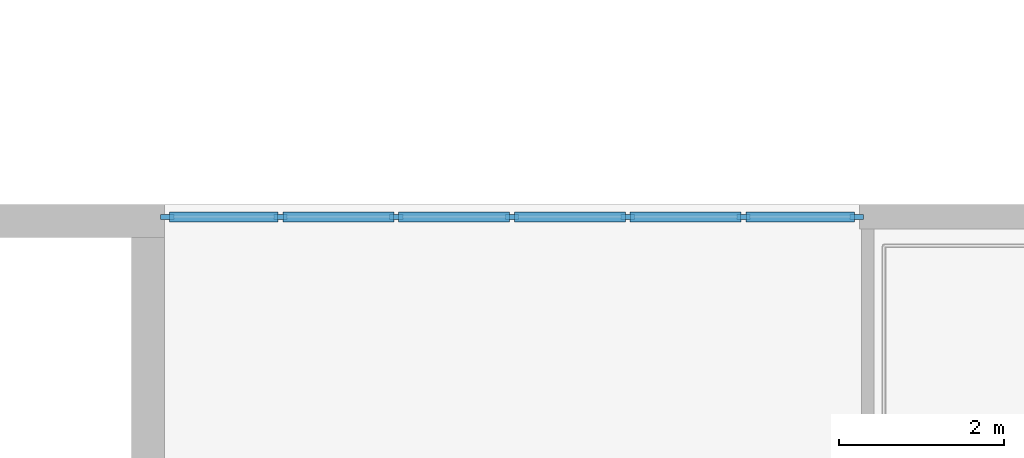
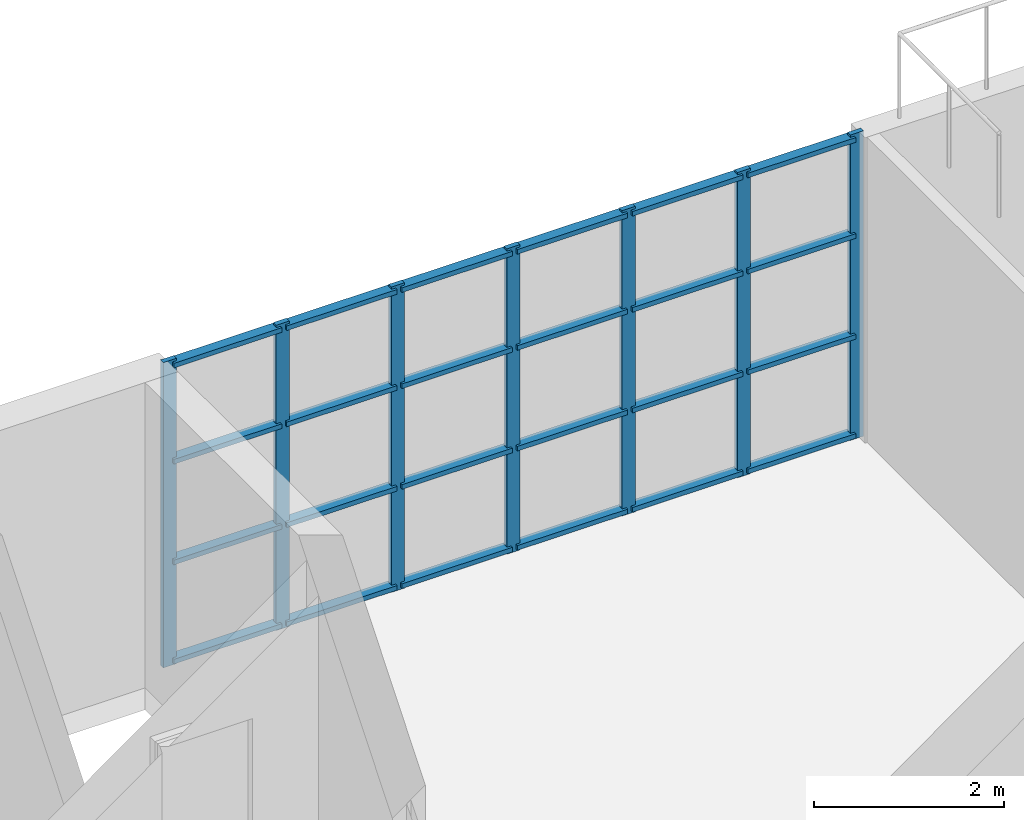
# One storey, part 44 of 96: 31 members, 1 element without a shape of its own.
"""IFC4 building model written with IfcOpenShell, lengths in metres."""

from ifc_helpers import new_model, si_unit, direction, frame, origin, origin_2d, place, context, subcontext, project, spatial, rectangle, extrude, material, material_profile, profile_set, type_object, element, aggregate, save


model = new_model("IFC4")

# Units and contexts
model_context = context("Model", 3, precision=1e-05, world=origin(), true_north=direction((0.0, 1.0)))
body_context = subcontext(model_context, "Body", "Model", "MODEL_VIEW")
ifc_project = project(units=[si_unit("LENGTHUNIT", "METRE"), si_unit("AREAUNIT", "SQUARE_METRE"), si_unit("VOLUMEUNIT", "CUBIC_METRE"), si_unit("PLANEANGLEUNIT", "RADIAN"), si_unit("MASSUNIT", "GRAM", prefix="KILO")], contexts=[model_context])

# Site, building, storey
site_placement = place(None, origin())
site = spatial("IfcSite", under=ifc_project, at=site_placement, CompositionType="ELEMENT")
building_placement = place(site_placement, origin())
building = spatial("IfcBuilding", under=site, at=building_placement, Name="Cresset Court Congress Hotel", CompositionType="ELEMENT")
storey_placement = place(building_placement, frame((0.0, 0.0, 6.0)))
storey = spatial("IfcBuildingStorey", under=building, at=storey_placement, Name="L01", CompositionType="ELEMENT", Elevation=6.0)

# Curtain wall, members
ifc_material_1 = material(Name="Aluminium frame with insulated glass", Category="aluminium")
curtain_wall_type = type_object("IfcCurtainWallType", Name="Curtain wall module 1400", PredefinedType="NOTDEFINED", material=ifc_material_1)
curtain_wall_placement = place(storey_placement, origin())
curtain_wall = element("IfcCurtainWall", 1, at=curtain_wall_placement, inside=storey, type_object=curtain_wall_type, Name="Curtain wall N", PredefinedType="NOTDEFINED")
ifc_material_2 = material(Name="Aluminium", Category="aluminium")
ifc_material_profile_1 = material_profile(ifc_material_2, rectangle(XDim=0.1201171875, YDim=0.06005859375, at=origin_2d()), Name="AL 120x60")
ifc_profile_set_1 = profile_set([ifc_material_profile_1], Name="Aluminium")
member_type_1 = type_object("IfcMemberType", Name="CW transom RECT 120x60", PredefinedType="USERDEFINED", material=ifc_profile_set_1)
member_1_placement = place(storey_placement, frame((142.860107421875, 109.050048828125, 0.06005859375), z_axis=(1.0, 0.0, 0.0), x_axis=(0.0, 1.0, 0.0)))
member_1 = element("IfcMember", 2, at=member_1_placement, type_object=member_type_1, Name="D-X2 transom 1.1", ObjectType="TRANSOM", PredefinedType="USERDEFINED", context=body_context, shape_type="SweptSolid", body=[
    extrude(rectangle(XDim=0.1201171875, YDim=0.06005859375, at=origin_2d()), origin(), (0.0, 0.0, 1.0), 1.309814453125),
])
member_2_placement = place(storey_placement, frame((142.860107421875, 109.050048828125, 1.3330078125), z_axis=(1.0, 0.0, 0.0), x_axis=(0.0, 1.0, 0.0)))
member_2 = element("IfcMember", 3, at=member_2_placement, type_object=member_type_1, Name="D-X2 transom 1.2", ObjectType="TRANSOM", PredefinedType="USERDEFINED", context=body_context, shape_type="SweptSolid", body=[
    extrude(rectangle(XDim=0.1201171875, YDim=0.06005859375, at=origin_2d()), origin(), (0.0, 0.0, 1.0), 1.309814453125),
])
member_3_placement = place(storey_placement, frame((142.860107421875, 109.050048828125, 2.6259765625), z_axis=(1.0, 0.0, 0.0), x_axis=(0.0, 1.0, 0.0)))
member_3 = element("IfcMember", 4, at=member_3_placement, type_object=member_type_1, Name="D-X2 transom 1.3", ObjectType="TRANSOM", PredefinedType="USERDEFINED", context=body_context, shape_type="SweptSolid", body=[
    extrude(rectangle(XDim=0.1201171875, YDim=0.06005859375, at=origin_2d()), origin(), (0.0, 0.0, 1.0), 1.309814453125),
])
member_4_placement = place(storey_placement, frame((142.860107421875, 109.050048828125, 3.860107421875), z_axis=(1.0, 0.0, 0.0), x_axis=(0.0, 1.0, 0.0)))
member_4 = element("IfcMember", 5, at=member_4_placement, type_object=member_type_1, Name="D-X2 transom 1.4", ObjectType="TRANSOM", PredefinedType="USERDEFINED", context=body_context, shape_type="SweptSolid", body=[
    extrude(rectangle(XDim=0.1201171875, YDim=0.06005859375, at=origin_2d()), origin(), (0.0, 0.0, 1.0), 1.309814453125),
])
member_5_placement = place(storey_placement, frame((144.22998046875, 109.050048828125, 0.06005859375), z_axis=(1.0, 0.0, 0.0), x_axis=(0.0, 1.0, 0.0)))
member_5 = element("IfcMember", 6, at=member_5_placement, type_object=member_type_1, Name="D-X2 transom 2.1", ObjectType="TRANSOM", PredefinedType="USERDEFINED", context=body_context, shape_type="SweptSolid", body=[
    extrude(rectangle(XDim=0.1201171875, YDim=0.06005859375, at=origin_2d()), origin(), (0.0, 0.0, 1.0), 1.340087890625),
])
member_6_placement = place(storey_placement, frame((144.22998046875, 109.050048828125, 1.3330078125), z_axis=(1.0, 0.0, 0.0), x_axis=(0.0, 1.0, 0.0)))
member_6 = element("IfcMember", 7, at=member_6_placement, type_object=member_type_1, Name="D-X2 transom 2.2", ObjectType="TRANSOM", PredefinedType="USERDEFINED", context=body_context, shape_type="SweptSolid", body=[
    extrude(rectangle(XDim=0.1201171875, YDim=0.06005859375, at=origin_2d()), origin(), (0.0, 0.0, 1.0), 1.340087890625),
])
member_7_placement = place(storey_placement, frame((144.22998046875, 109.050048828125, 2.6259765625), z_axis=(1.0, 0.0, 0.0), x_axis=(0.0, 1.0, 0.0)))
member_7 = element("IfcMember", 8, at=member_7_placement, type_object=member_type_1, Name="D-X2 transom 2.3", ObjectType="TRANSOM", PredefinedType="USERDEFINED", context=body_context, shape_type="SweptSolid", body=[
    extrude(rectangle(XDim=0.1201171875, YDim=0.06005859375, at=origin_2d()), origin(), (0.0, 0.0, 1.0), 1.340087890625),
])
member_8_placement = place(storey_placement, frame((144.22998046875, 109.050048828125, 3.860107421875), z_axis=(1.0, 0.0, 0.0), x_axis=(0.0, 1.0, 0.0)))
member_8 = element("IfcMember", 9, at=member_8_placement, type_object=member_type_1, Name="D-X2 transom 2.4", ObjectType="TRANSOM", PredefinedType="USERDEFINED", context=body_context, shape_type="SweptSolid", body=[
    extrude(rectangle(XDim=0.1201171875, YDim=0.06005859375, at=origin_2d()), origin(), (0.0, 0.0, 1.0), 1.340087890625),
])
member_9_placement = place(storey_placement, frame((145.6298828125, 109.050048828125, 0.06005859375), z_axis=(1.0, 0.0, 0.0), x_axis=(0.0, 1.0, 0.0)))
member_9 = element("IfcMember", 10, at=member_9_placement, type_object=member_type_1, Name="D-X2 transom 3.1", ObjectType="TRANSOM", PredefinedType="USERDEFINED", context=body_context, shape_type="SweptSolid", body=[
    extrude(rectangle(XDim=0.1201171875, YDim=0.06005859375, at=origin_2d()), origin(), (0.0, 0.0, 1.0), 1.340087890625),
])
member_10_placement = place(storey_placement, frame((145.6298828125, 109.050048828125, 1.3330078125), z_axis=(1.0, 0.0, 0.0), x_axis=(0.0, 1.0, 0.0)))
member_10 = element("IfcMember", 11, at=member_10_placement, type_object=member_type_1, Name="D-X2 transom 3.2", ObjectType="TRANSOM", PredefinedType="USERDEFINED", context=body_context, shape_type="SweptSolid", body=[
    extrude(rectangle(XDim=0.1201171875, YDim=0.06005859375, at=origin_2d()), origin(), (0.0, 0.0, 1.0), 1.340087890625),
])
member_11_placement = place(storey_placement, frame((145.6298828125, 109.050048828125, 2.6259765625), z_axis=(1.0, 0.0, 0.0), x_axis=(0.0, 1.0, 0.0)))
member_11 = element("IfcMember", 12, at=member_11_placement, type_object=member_type_1, Name="D-X2 transom 3.3", ObjectType="TRANSOM", PredefinedType="USERDEFINED", context=body_context, shape_type="SweptSolid", body=[
    extrude(rectangle(XDim=0.1201171875, YDim=0.06005859375, at=origin_2d()), origin(), (0.0, 0.0, 1.0), 1.340087890625),
])
member_12_placement = place(storey_placement, frame((145.6298828125, 109.050048828125, 3.860107421875), z_axis=(1.0, 0.0, 0.0), x_axis=(0.0, 1.0, 0.0)))
member_12 = element("IfcMember", 13, at=member_12_placement, type_object=member_type_1, Name="D-X2 transom 3.4", ObjectType="TRANSOM", PredefinedType="USERDEFINED", context=body_context, shape_type="SweptSolid", body=[
    extrude(rectangle(XDim=0.1201171875, YDim=0.06005859375, at=origin_2d()), origin(), (0.0, 0.0, 1.0), 1.340087890625),
])
member_13_placement = place(storey_placement, frame((147.030029296875, 109.050048828125, 0.06005859375), z_axis=(1.0, 0.0, 0.0), x_axis=(0.0, 1.0, 0.0)))
member_13 = element("IfcMember", 14, at=member_13_placement, type_object=member_type_1, Name="D-X2 transom 4.1", ObjectType="TRANSOM", PredefinedType="USERDEFINED", context=body_context, shape_type="SweptSolid", body=[
    extrude(rectangle(XDim=0.1201171875, YDim=0.06005859375, at=origin_2d()), origin(), (0.0, 0.0, 1.0), 1.340087890625),
])
member_14_placement = place(storey_placement, frame((147.030029296875, 109.050048828125, 1.3330078125), z_axis=(1.0, 0.0, 0.0), x_axis=(0.0, 1.0, 0.0)))
member_14 = element("IfcMember", 15, at=member_14_placement, type_object=member_type_1, Name="D-X2 transom 4.2", ObjectType="TRANSOM", PredefinedType="USERDEFINED", context=body_context, shape_type="SweptSolid", body=[
    extrude(rectangle(XDim=0.1201171875, YDim=0.06005859375, at=origin_2d()), origin(), (0.0, 0.0, 1.0), 1.340087890625),
])
member_15_placement = place(storey_placement, frame((147.030029296875, 109.050048828125, 2.6259765625), z_axis=(1.0, 0.0, 0.0), x_axis=(0.0, 1.0, 0.0)))
member_15 = element("IfcMember", 16, at=member_15_placement, type_object=member_type_1, Name="D-X2 transom 4.3", ObjectType="TRANSOM", PredefinedType="USERDEFINED", context=body_context, shape_type="SweptSolid", body=[
    extrude(rectangle(XDim=0.1201171875, YDim=0.06005859375, at=origin_2d()), origin(), (0.0, 0.0, 1.0), 1.340087890625),
])
member_16_placement = place(storey_placement, frame((147.030029296875, 109.050048828125, 3.860107421875), z_axis=(1.0, 0.0, 0.0), x_axis=(0.0, 1.0, 0.0)))
member_16 = element("IfcMember", 17, at=member_16_placement, type_object=member_type_1, Name="D-X2 transom 4.4", ObjectType="TRANSOM", PredefinedType="USERDEFINED", context=body_context, shape_type="SweptSolid", body=[
    extrude(rectangle(XDim=0.1201171875, YDim=0.06005859375, at=origin_2d()), origin(), (0.0, 0.0, 1.0), 1.340087890625),
])
member_17_placement = place(storey_placement, frame((148.429931640625, 109.050048828125, 0.06005859375), z_axis=(1.0, 0.0, 0.0), x_axis=(0.0, 1.0, 0.0)))
member_17 = element("IfcMember", 18, at=member_17_placement, type_object=member_type_1, Name="D-X2 transom 5.1", ObjectType="TRANSOM", PredefinedType="USERDEFINED", context=body_context, shape_type="SweptSolid", body=[
    extrude(rectangle(XDim=0.1201171875, YDim=0.06005859375, at=origin_2d()), origin(), (0.0, 0.0, 1.0), 1.340087890625),
])
member_18_placement = place(storey_placement, frame((148.429931640625, 109.050048828125, 1.3330078125), z_axis=(1.0, 0.0, 0.0), x_axis=(0.0, 1.0, 0.0)))
member_18 = element("IfcMember", 19, at=member_18_placement, type_object=member_type_1, Name="D-X2 transom 5.2", ObjectType="TRANSOM", PredefinedType="USERDEFINED", context=body_context, shape_type="SweptSolid", body=[
    extrude(rectangle(XDim=0.1201171875, YDim=0.06005859375, at=origin_2d()), origin(), (0.0, 0.0, 1.0), 1.340087890625),
])
member_19_placement = place(storey_placement, frame((148.429931640625, 109.050048828125, 2.6259765625), z_axis=(1.0, 0.0, 0.0), x_axis=(0.0, 1.0, 0.0)))
member_19 = element("IfcMember", 20, at=member_19_placement, type_object=member_type_1, Name="D-X2 transom 5.3", ObjectType="TRANSOM", PredefinedType="USERDEFINED", context=body_context, shape_type="SweptSolid", body=[
    extrude(rectangle(XDim=0.1201171875, YDim=0.06005859375, at=origin_2d()), origin(), (0.0, 0.0, 1.0), 1.340087890625),
])
member_20_placement = place(storey_placement, frame((148.429931640625, 109.050048828125, 3.860107421875), z_axis=(1.0, 0.0, 0.0), x_axis=(0.0, 1.0, 0.0)))
member_20 = element("IfcMember", 21, at=member_20_placement, type_object=member_type_1, Name="D-X2 transom 5.4", ObjectType="TRANSOM", PredefinedType="USERDEFINED", context=body_context, shape_type="SweptSolid", body=[
    extrude(rectangle(XDim=0.1201171875, YDim=0.06005859375, at=origin_2d()), origin(), (0.0, 0.0, 1.0), 1.340087890625),
])
member_21_placement = place(storey_placement, frame((149.830078125, 109.050048828125, 0.06005859375), z_axis=(1.0, 0.0, 0.0), x_axis=(0.0, 1.0, 0.0)))
member_21 = element("IfcMember", 22, at=member_21_placement, type_object=member_type_1, Name="D-X2 transom 6.1", ObjectType="TRANSOM", PredefinedType="USERDEFINED", context=body_context, shape_type="SweptSolid", body=[
    extrude(rectangle(XDim=0.1201171875, YDim=0.06005859375, at=origin_2d()), origin(), (0.0, 0.0, 1.0), 1.309814453125),
])
member_22_placement = place(storey_placement, frame((149.830078125, 109.050048828125, 1.3330078125), z_axis=(1.0, 0.0, 0.0), x_axis=(0.0, 1.0, 0.0)))
member_22 = element("IfcMember", 23, at=member_22_placement, type_object=member_type_1, Name="D-X2 transom 6.2", ObjectType="TRANSOM", PredefinedType="USERDEFINED", context=body_context, shape_type="SweptSolid", body=[
    extrude(rectangle(XDim=0.1201171875, YDim=0.06005859375, at=origin_2d()), origin(), (0.0, 0.0, 1.0), 1.309814453125),
])
member_23_placement = place(storey_placement, frame((149.830078125, 109.050048828125, 2.6259765625), z_axis=(1.0, 0.0, 0.0), x_axis=(0.0, 1.0, 0.0)))
member_23 = element("IfcMember", 24, at=member_23_placement, type_object=member_type_1, Name="D-X2 transom 6.3", ObjectType="TRANSOM", PredefinedType="USERDEFINED", context=body_context, shape_type="SweptSolid", body=[
    extrude(rectangle(XDim=0.1201171875, YDim=0.06005859375, at=origin_2d()), origin(), (0.0, 0.0, 1.0), 1.309814453125),
])
member_24_placement = place(storey_placement, frame((149.830078125, 109.050048828125, 3.860107421875), z_axis=(1.0, 0.0, 0.0), x_axis=(0.0, 1.0, 0.0)))
member_24 = element("IfcMember", 25, at=member_24_placement, type_object=member_type_1, Name="D-X2 transom 6.4", ObjectType="TRANSOM", PredefinedType="USERDEFINED", context=body_context, shape_type="SweptSolid", body=[
    extrude(rectangle(XDim=0.1201171875, YDim=0.06005859375, at=origin_2d()), origin(), (0.0, 0.0, 1.0), 1.309814453125),
])
ifc_material_3 = material(Name="Anodised aluminium", Category="aluminium")
ifc_material_profile_2 = material_profile(ifc_material_3, rectangle(XDim=0.06005859375, YDim=0.159912109375, at=origin_2d()), Name="AL60x160")
ifc_profile_set_2 = profile_set([ifc_material_profile_2], Name="Anodised aluminium")
member_type_2 = type_object("IfcMemberType", Name="Curtain wall mullion 60x160", PredefinedType="MULLION", material=ifc_profile_set_2)
member_25_placement = place(storey_placement, frame((142.830078125, 109.050048828125, 0.0), z_axis=(0.0, 0.0, 1.0), x_axis=(0.0, 1.0, 0.0)))
member_25 = element("IfcMember", 26, at=member_25_placement, type_object=member_type_2, Name="D-X2 mullion 1", PredefinedType="MULLION", context=body_context, shape_type="SweptSolid", body=[
    extrude(rectangle(XDim=0.06005859375, YDim=0.159912109375, at=origin_2d()), origin(), (0.0, 0.0, 1.0), 3.919921875),
])
member_26_placement = place(storey_placement, frame((144.199951171875, 109.050048828125, 0.0), z_axis=(0.0, 0.0, 1.0), x_axis=(0.0, 1.0, 0.0)))
member_26 = element("IfcMember", 27, at=member_26_placement, type_object=member_type_2, Name="D-X2 mullion 2", PredefinedType="MULLION", context=body_context, shape_type="SweptSolid", body=[
    extrude(rectangle(XDim=0.06005859375, YDim=0.159912109375, at=origin_2d()), origin(), (0.0, 0.0, 1.0), 3.919921875),
])
member_27_placement = place(storey_placement, frame((145.60009765625, 109.050048828125, 0.0), z_axis=(0.0, 0.0, 1.0), x_axis=(0.0, 1.0, 0.0)))
member_27 = element("IfcMember", 28, at=member_27_placement, type_object=member_type_2, Name="D-X2 mullion 3", PredefinedType="MULLION", context=body_context, shape_type="SweptSolid", body=[
    extrude(rectangle(XDim=0.06005859375, YDim=0.159912109375, at=origin_2d()), origin(), (0.0, 0.0, 1.0), 3.919921875),
])
member_28_placement = place(storey_placement, frame((147.0, 109.050048828125, 0.0), z_axis=(0.0, 0.0, 1.0), x_axis=(0.0, 1.0, 0.0)))
member_28 = element("IfcMember", 29, at=member_28_placement, type_object=member_type_2, Name="D-X2 mullion 4", PredefinedType="MULLION", context=body_context, shape_type="SweptSolid", body=[
    extrude(rectangle(XDim=0.06005859375, YDim=0.159912109375, at=origin_2d()), origin(), (0.0, 0.0, 1.0), 3.919921875),
])
member_29_placement = place(storey_placement, frame((148.39990234375, 109.050048828125, 0.0), z_axis=(0.0, 0.0, 1.0), x_axis=(0.0, 1.0, 0.0)))
member_29 = element("IfcMember", 30, at=member_29_placement, type_object=member_type_2, Name="D-X2 mullion 5", PredefinedType="MULLION", context=body_context, shape_type="SweptSolid", body=[
    extrude(rectangle(XDim=0.06005859375, YDim=0.159912109375, at=origin_2d()), origin(), (0.0, 0.0, 1.0), 3.919921875),
])
member_30_placement = place(storey_placement, frame((149.800048828125, 109.050048828125, 0.0), z_axis=(0.0, 0.0, 1.0), x_axis=(0.0, 1.0, 0.0)))
member_30 = element("IfcMember", 31, at=member_30_placement, type_object=member_type_2, Name="D-X2 mullion 6", PredefinedType="MULLION", context=body_context, shape_type="SweptSolid", body=[
    extrude(rectangle(XDim=0.06005859375, YDim=0.159912109375, at=origin_2d()), origin(), (0.0, 0.0, 1.0), 3.919921875),
])
member_31_placement = place(storey_placement, frame((151.169921875, 109.050048828125, 0.0), z_axis=(0.0, 0.0, 1.0), x_axis=(0.0, 1.0, 0.0)))
member_31 = element("IfcMember", 32, at=member_31_placement, type_object=member_type_2, Name="D-X2 mullion 7", PredefinedType="MULLION", context=body_context, shape_type="SweptSolid", body=[
    extrude(rectangle(XDim=0.06005859375, YDim=0.159912109375, at=origin_2d()), origin(), (0.0, 0.0, 1.0), 3.919921875),
])
aggregate(curtain_wall, [member_25, member_26, member_27, member_28, member_29, member_30, member_31, member_1, member_2, member_3, member_4, member_5, member_6, member_7, member_8, member_9, member_10, member_11, member_12, member_13, member_14, member_15, member_16, member_17, member_18, member_19, member_20, member_21, member_22, member_23, member_24])

save(model, "model.ifc")
